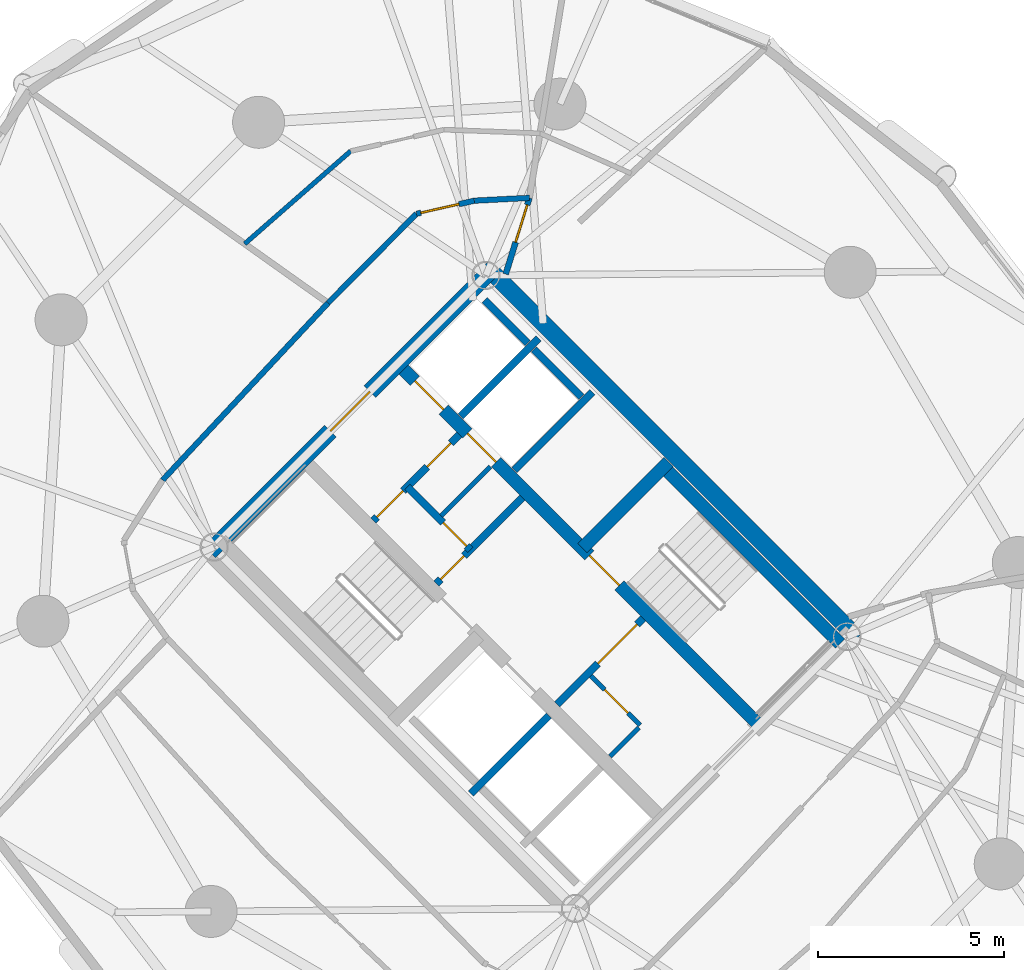
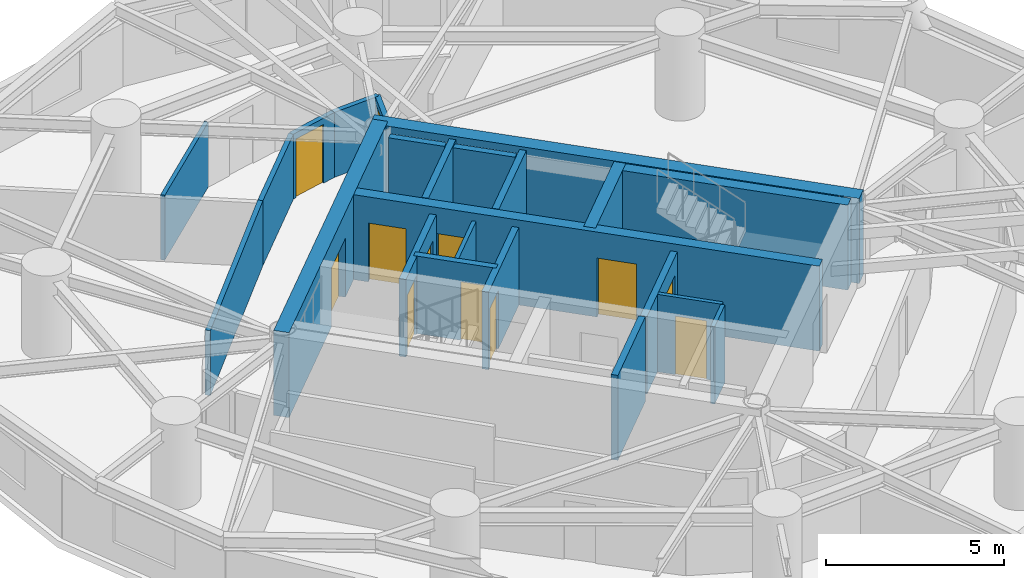
# One storey, part 13 of 17: 23 walls, 12 doors, 12 openings.
"""IFC4 building model written with IfcOpenShell, lengths in metres."""

from ifc_helpers import new_model, si_unit, direction, frame, frame_2d, origin, place, context, subcontext, project, spatial, rectangle, extrude, source, transform, mapped, material, layer, layer_set, type_object, element, fill, save


model = new_model("IFC4")

# Units and contexts
model_context = context("Model", 3, precision=1e-05, world=origin(), true_north=direction((0.0, 1.0)))
body_context = subcontext(model_context, "Body", "Model", "MODEL_VIEW")
ifc_project = project(units=[si_unit("LENGTHUNIT", "METRE"), si_unit("AREAUNIT", "SQUARE_METRE"), si_unit("VOLUMEUNIT", "CUBIC_METRE"), si_unit("PLANEANGLEUNIT", "RADIAN"), si_unit("MASSUNIT", "GRAM", prefix="KILO")], contexts=[model_context])

# Site, building, storey
site_placement = place(None, origin())
site = spatial("IfcSite", under=ifc_project, at=site_placement, CompositionType="ELEMENT")
building_placement = place(site_placement, origin())
building = spatial("IfcBuilding", under=site, at=building_placement, Name="Cununo Teusaquillo Station Towers", CompositionType="ELEMENT")
storey_placement = place(building_placement, frame((0.0, 0.0, 107.97998046875)))
storey = spatial("IfcBuildingStorey", under=building, at=storey_placement, Name="L34", CompositionType="ELEMENT", Elevation=107.97998046875)

# Walls
ifc_material_1 = material(Name="Concrete C50/60", Category="concrete")
ifc_layer_1 = layer(ifc_material_1, 0.199951171875)
ifc_layer_set_1 = layer_set([ifc_layer_1], Name="Concrete C50/60")
wall_type_1 = type_object("IfcWallType", Name="WL-CORE-200", PredefinedType="SHEAR", material=ifc_layer_set_1)
for number, where, z_axis, x_axis, name in (
    (1, (55.8876953125, 19.0693359375, 0.0), (0.0, 0.0, 1.0), (0.707106781187, 0.707106781187, 0.0), "L34 Tower B Firefighting Lift Shaft South Shear Wall"),
    (2, (57.0615234375, 27.781005859375, 0.0), (0.0, 0.0, 1.0), (0.707106781187, 0.707106781187, 0.0), "L34 Tower B Low-Rise Lift Hoistway South Shear Wall"),
):
    element("IfcWall", number, at=place(storey_placement, frame(where, z_axis=z_axis, x_axis=x_axis)), inside=storey, type_object=wall_type_1, Name=name, PredefinedType="SHEAR", context=body_context, shape_type="SweptSolid", body=[
        extrude(rectangle(XDim=2.969970703125, YDim=0.199951171875, at=frame_2d((1.48486328125, 0.0))), origin(), (0.0, 0.0, 1.0), 2.909912109375),
    ])
wall_1_placement = place(storey_placement, frame((55.615478515625, 29.22705078125, 0.0), z_axis=(0.0, 0.0, 1.0), x_axis=(0.707147878904, 0.70706568108, 0.0)))
element("IfcWall", 3, at=wall_1_placement, inside=storey, type_object=wall_type_1, Name="L34 Tower B Low-Rise Lift Hoistway Divider Shear Wall", PredefinedType="SHEAR", context=body_context, shape_type="SweptSolid", body=[
    extrude(rectangle(XDim=2.97021484375, YDim=0.199951171875, at=frame_2d((1.485107421875, 0.0))), origin(), (0.0, 0.0, 1.0), 2.909912109375),
])
wall_2_placement = place(storey_placement, frame((58.86474609375, 29.75390625, 0.0), z_axis=(0.0, 0.0, 1.0), x_axis=(-0.707174411312, 0.707039144592, 0.0)))
element("IfcWall", 4, at=wall_2_placement, inside=storey, type_object=wall_type_1, Name="L34 Tower B Low-Rise Lift 1 Shaft Rear Shear Wall", PredefinedType="SHEAR", context=body_context, shape_type="SweptSolid", body=[
    extrude(rectangle(XDim=1.804931640625, YDim=0.199951171875, at=frame_2d((0.90234375, 0.0))), origin(), (0.0, 0.0, 1.0), 2.909912109375),
])
wall_3_placement = place(storey_placement, frame((57.418701171875, 31.19970703125, 0.0), z_axis=(0.0, 0.0, 1.0), x_axis=(-0.707032117043, 0.707181437447, 0.0)))
element("IfcWall", 5, at=wall_3_placement, inside=storey, type_object=wall_type_1, Name="L34 Tower B Low-Rise Lift 2 Shaft Rear Shear Wall", PredefinedType="SHEAR", context=body_context, shape_type="SweptSolid", body=[
    extrude(rectangle(XDim=1.635009765625, YDim=0.199951171875, at=frame_2d((0.8173828125, 0.0))), origin(), (0.0, 0.0, 1.0), 2.909912109375),
])

# Wall, openings, doors
ifc_material_2 = material(Name="Concrete C50/60", Category="concrete")
ifc_layer_2 = layer(ifc_material_2, 0.35009765625)
ifc_layer_set_2 = layer_set([ifc_layer_2], Name="Concrete C50/60")
wall_type_2 = type_object("IfcWallType", Name="WL-CORE-350", PredefinedType="SHEAR", material=ifc_layer_set_2)
wall_4_placement = place(storey_placement, frame((63.644775390625, 20.922119140625, 0.0), z_axis=(0.0, 0.0, 1.0), x_axis=(-0.707106781187, 0.707106781187, 0.0)))
wall_4 = element("IfcWall", 6, at=wall_4_placement, inside=storey, type_object=wall_type_2, Name="L34 Tower B Core Shear Wall IE", PredefinedType="SHEAR", context=body_context, shape_type="SweptSolid", body=[
    extrude(rectangle(XDim=13.75, YDim=0.35009765625, at=frame_2d((6.875, 0.0))), origin(), (0.0, 0.0, 1.0), 2.909912109375),
])
shared_shape_1 = source(origin(), body_context, "Body", "SweptSolid", [
    extrude(rectangle(XDim=1.10009765625, YDim=2.014892578125, at=frame_2d((0.550048828125, 1.00732421875))), frame((0.0, 0.18505859375, 0.0), z_axis=(0.0, -1.0, 0.0), x_axis=(1.0, 0.0, 0.0)), (0.0, 0.0, 1.0), 0.3701171875),
])
opening_1_placement = place(wall_4_placement, frame((10.0, 0.0, 0.0)))
opening_1 = element("IfcOpeningElement", 7, at=opening_1_placement, cuts=wall_4, Name="Opening LD-01", PredefinedType="OPENING", context=body_context, shape_type="MappedRepresentation", body=[
    mapped(shared_shape_1, transform((0.0, 0.0, 0.0), x_axis=(1.0, 0.0, 0.0), y_axis=(0.0, 1.0, 0.0), z_axis=(0.0, 0.0, 1.0), scale=1.0)),
])
opening_2_placement = place(wall_4_placement, frame((12.0, 0.0, 0.0)))
opening_2 = element("IfcOpeningElement", 8, at=opening_2_placement, cuts=wall_4, Name="Opening LD-01", PredefinedType="OPENING", context=body_context, shape_type="MappedRepresentation", body=[
    mapped(shared_shape_1, transform((0.0, 0.0, 0.0), x_axis=(1.0, 0.0, 0.0), y_axis=(0.0, 1.0, 0.0), z_axis=(0.0, 0.0, 1.0), scale=1.0)),
])
shared_shape_2 = source(origin(), body_context, "Body", "SweptSolid", [
    extrude(rectangle(XDim=1.14990234375, YDim=2.02001953125, at=frame_2d((0.574951171875, 1.010009765625))), frame((0.0, 0.18505859375, 0.0), z_axis=(0.0, -1.0, 0.0), x_axis=(1.0, 0.0, 0.0)), (0.0, 0.0, 1.0), 0.3701171875),
])
opening_3_placement = place(wall_4_placement, frame((5.304931640625, 0.0, 0.0)))
opening_3 = element("IfcOpeningElement", 9, at=opening_3_placement, cuts=wall_4, Name="Opening D-ST1", PredefinedType="OPENING", context=body_context, shape_type="MappedRepresentation", body=[
    mapped(shared_shape_2, transform((0.0, 0.0, 0.0), x_axis=(1.0, 0.0, 0.0), y_axis=(0.0, 1.0, 0.0), z_axis=(0.0, 0.0, 1.0), scale=1.0)),
])
ifc_material_3 = material(Name="Galvanised fire-rated hollow steel door assembly", Category="steel")
door_type_1 = type_object("IfcDoorType", Name="DR-LIFT-1100", OperationType="SLIDING_TO_LEFT", PredefinedType="DOOR", material=ifc_material_3)
shared_shape_3 = source(origin(), body_context, "Body", "SweptSolid", [
    extrude(rectangle(XDim=1.10009765625, YDim=2.014892578125, at=frame_2d((0.550048828125, 1.00732421875))), frame((0.0, 0.02490234375, 0.0), z_axis=(0.0, -1.0, 0.0), x_axis=(1.0, 0.0, 0.0)), (0.0, 0.0, 1.0), 0.050048828125),
])
door_1_placement = place(opening_1_placement, origin())
door_1 = element("IfcDoor", 10, at=door_1_placement, inside=storey, type_object=door_type_1, Name="L34 Lift PL-T2-L1 Sliding Landing Door", OperationType="SLIDING_TO_RIGHT", OverallHeight=2.014892578125, OverallWidth=1.10009765625, PredefinedType="DOOR", context=body_context, shape_type="MappedRepresentation", body=[
    mapped(shared_shape_3, transform((0.0, 0.0, 0.0), x_axis=(1.0, 0.0, 0.0), y_axis=(0.0, 1.0, 0.0), z_axis=(0.0, 0.0, 1.0), scale=1.0)),
])
fill(opening_1, door_1)
door_2_placement = place(opening_2_placement, origin())
door_2 = element("IfcDoor", 11, at=door_2_placement, inside=storey, type_object=door_type_1, Name="L34 Lift PL-T2-L2 Sliding Landing Door", OperationType="SLIDING_TO_LEFT", OverallHeight=2.014892578125, OverallWidth=1.10009765625, PredefinedType="DOOR", context=body_context, shape_type="MappedRepresentation", body=[
    mapped(shared_shape_3, transform((0.0, 0.0, 0.0), x_axis=(1.0, 0.0, 0.0), y_axis=(0.0, 1.0, 0.0), z_axis=(0.0, 0.0, 1.0), scale=1.0)),
])
fill(opening_2, door_2)
ifc_material_4 = material(Name="Galvanised fire-rated hollow steel door assembly", Category="steel")
door_type_2 = type_object("IfcDoorType", Name="DR-STAIR-1150", OperationType="NOTDEFINED", PredefinedType="DOOR", material=ifc_material_4)
shared_shape_4 = source(origin(), body_context, "Body", "SweptSolid", [
    extrude(rectangle(XDim=1.14990234375, YDim=2.02001953125, at=frame_2d((0.574951171875, 1.010009765625))), frame((0.0, 0.02490234375, 0.0), z_axis=(0.0, -1.0, 0.0), x_axis=(1.0, 0.0, 0.0)), (0.0, 0.0, 1.0), 0.050048828125),
])
door_3_placement = place(opening_3_placement, origin())
door_3 = element("IfcDoor", 12, at=door_3_placement, inside=storey, type_object=door_type_2, Name="L34 Tower B Exit Stair 2 Fire Door", OperationType="SINGLE_SWING_RIGHT", OverallHeight=2.02001953125, OverallWidth=1.14990234375, PredefinedType="DOOR", context=body_context, shape_type="MappedRepresentation", body=[
    mapped(shared_shape_4, transform((0.0, 0.0, 0.0), x_axis=(1.0, 0.0, 0.0), y_axis=(0.0, 1.0, 0.0), z_axis=(0.0, 0.0, 1.0), scale=1.0)),
])
fill(opening_3, door_3)

# Walls
wall_5_placement = place(storey_placement, frame((65.82958984375, 23.10693359375, 0.0), z_axis=(0.0, 0.0, 1.0), x_axis=(-0.707088616009, 0.707124945897, 0.0)))
element("IfcWall", 13, at=wall_5_placement, inside=storey, type_object=wall_type_2, Name="L34 Tower B Core Shear Wall ST2E", PredefinedType="SHEAR", context=body_context, shape_type="SweptSolid", body=[
    extrude(rectangle(XDim=6.72021484375, YDim=0.35009765625, at=frame_2d((3.360107421875, 0.0))), origin(), (0.0, 0.0, 1.0), 2.909912109375),
])
wall_6_placement = place(storey_placement, frame((58.89306640625, 25.673828125, 0.0), z_axis=(0.0, 0.0, 1.0), x_axis=(0.707106781187, 0.707106781187, 0.0)))
element("IfcWall", 14, at=wall_6_placement, inside=storey, type_object=wall_type_2, Name="L34 Tower B Core Shear Wall ST2N", PredefinedType="SHEAR", context=body_context, shape_type="SweptSolid", body=[
    extrude(rectangle(XDim=3.284912109375, YDim=0.35009765625, at=frame_2d((1.642578125, 0.0))), origin(), (0.0, 0.0, 1.0), 2.909912109375),
])
ifc_material_5 = material(Name="Concrete C60/75", Category="concrete")
ifc_layer_3 = layer(ifc_material_5, 0.449951171875)
ifc_layer_set_3 = layer_set([ifc_layer_3], Name="Concrete C60/75")
wall_type_3 = type_object("IfcWallType", Name="WL-CORE-450", PredefinedType="SHEAR", material=ifc_layer_set_3)
wall_7_placement = place(storey_placement, frame((66.303466796875, 23.2626953125, 0.0), z_axis=(0.0, 0.0, 1.0), x_axis=(-0.707106781187, 0.707106781187, 0.0)))
element("IfcWall", 15, at=wall_7_placement, inside=storey, type_object=wall_type_3, Name="L34 Tower B Core Shear Wall E", PredefinedType="SHEAR", context=body_context, shape_type="SweptSolid", body=[
    extrude(rectangle(XDim=14.19970703125, YDim=0.449951171875, at=frame_2d((7.099853515625, 0.0))), origin(), (0.0, 0.0, 1.0), 2.909912109375),
])

# Wall, opening, door
wall_8_placement = place(storey_placement, frame((48.855712890625, 25.578369140625, 0.0), z_axis=(0.0, 0.0, 1.0), x_axis=(0.707106781187, 0.707106781187, 0.0)))
wall_8 = element("IfcWall", 16, at=wall_8_placement, inside=storey, type_object=wall_type_3, Name="L34 Tower B Core Shear Wall N", PredefinedType="SHEAR", context=body_context, shape_type="SweptSolid", body=[
    extrude(rectangle(XDim=10.69970703125, YDim=0.449951171875, at=frame_2d((5.349853515625, 0.0))), origin(), (0.0, 0.0, 1.0), 2.909912109375),
])
shared_shape_5 = source(origin(), body_context, "Body", "SweptSolid", [
    extrude(rectangle(XDim=1.5, YDim=2.02001953125, at=frame_2d((0.75, 1.010009765625))), frame((0.0, 0.23486328125, 0.0), z_axis=(0.0, -1.0, 0.0), x_axis=(1.0, 0.0, 0.0)), (0.0, 0.0, 1.0), 0.469970703125),
])
opening_4_placement = place(wall_8_placement, frame((4.60009765625, 0.0, 0.0)))
opening_4 = element("IfcOpeningElement", 17, at=opening_4_placement, cuts=wall_8, Name="Opening D-LB1", PredefinedType="OPENING", context=body_context, shape_type="MappedRepresentation", body=[
    mapped(shared_shape_5, transform((0.0, 0.0, 0.0), x_axis=(1.0, 0.0, 0.0), y_axis=(0.0, 1.0, 0.0), z_axis=(0.0, 0.0, 1.0), scale=1.0)),
])
ifc_material_6 = material(Name="Galvanised fire-rated hollow steel door assembly", Category="steel")
door_type_3 = type_object("IfcDoorType", Name="DR-LOBBY-1500", OperationType="DOUBLE_DOOR_SINGLE_SWING", PredefinedType="DOOR", material=ifc_material_6)
shared_shape_6 = source(origin(), body_context, "Body", "SweptSolid", [
    extrude(rectangle(XDim=1.5, YDim=2.02001953125, at=frame_2d((0.75, 1.010009765625))), frame((0.0, 0.02490234375, 0.0), z_axis=(0.0, -1.0, 0.0), x_axis=(1.0, 0.0, 0.0)), (0.0, 0.0, 1.0), 0.050048828125),
])
door_4_placement = place(opening_4_placement, origin())
door_4 = element("IfcDoor", 18, at=door_4_placement, inside=storey, type_object=door_type_3, Name="L34 Tower B North Core Lift Lobby Door", OperationType="DOUBLE_DOOR_SINGLE_SWING", OverallHeight=2.02001953125, OverallWidth=1.5, PredefinedType="DOOR", context=body_context, shape_type="MappedRepresentation", body=[
    mapped(shared_shape_6, transform((0.0, 0.0, 0.0), x_axis=(1.0, 0.0, 0.0), y_axis=(0.0, 1.0, 0.0), z_axis=(0.0, 0.0, 1.0), scale=1.0)),
])
fill(opening_4, door_4)

ifc_material_7 = material(Name="Fire-rated gypsum plasterboard partition assembly", Category="gypsum")
ifc_layer_4 = layer(ifc_material_7, 0.125)
ifc_layer_set_4 = layer_set([ifc_layer_4], Name="Fire-rated gypsum plasterboard partition assembly")
wall_type_4 = type_object("IfcWallType", Name="WL-PART-125", PredefinedType="PARTITIONING", material=ifc_layer_set_4)
wall_9_placement = place(storey_placement, frame((60.448486328125, 20.9150390625, 0.0), z_axis=(0.0, 0.0, 1.0), x_axis=(-0.707106781187, 0.707106781187, 0.0)))
wall_9 = element("IfcWall", 19, at=wall_9_placement, inside=storey, type_object=wall_type_4, Name="L34 Tower B North-West Lobby Store East Wall", PredefinedType="PARTITIONING", context=body_context, shape_type="SweptSolid", body=[
    extrude(rectangle(XDim=1.869873046875, YDim=0.125, at=frame_2d((0.93505859375, 0.0))), origin(), (0.0, 0.0, 1.0), 2.655029296875),
])
shared_shape_7 = source(origin(), body_context, "Body", "SweptSolid", [
    extrude(rectangle(XDim=0.89990234375, YDim=2.0048828125, at=frame_2d((0.449951171875, 1.00244140625))), frame((0.0, 0.072509765625, 0.0), z_axis=(0.0, -1.0, 0.0), x_axis=(1.0, 0.0, 0.0)), (0.0, 0.0, 1.0), 0.14501953125),
])
opening_5_placement = place(wall_9_placement, frame((0.449951171875, 0.0, 0.0)))
opening_5 = element("IfcOpeningElement", 20, at=opening_5_placement, cuts=wall_9, Name="Opening D-SR1", PredefinedType="OPENING", context=body_context, shape_type="MappedRepresentation", body=[
    mapped(shared_shape_7, transform((0.0, 0.0, 0.0), x_axis=(1.0, 0.0, 0.0), y_axis=(0.0, 1.0, 0.0), z_axis=(0.0, 0.0, 1.0), scale=1.0)),
])
ifc_material_8 = material(Name="Galvanised fire-rated hollow steel door assembly", Category="steel")
door_type_4 = type_object("IfcDoorType", Name="DR-STORE-900", OperationType="NOTDEFINED", PredefinedType="DOOR", material=ifc_material_8)
shared_shape_8 = source(origin(), body_context, "Body", "SweptSolid", [
    extrude(rectangle(XDim=0.89990234375, YDim=2.0048828125, at=frame_2d((0.449951171875, 1.00244140625))), frame((0.0, 0.02490234375, 0.0), z_axis=(0.0, -1.0, 0.0), x_axis=(1.0, 0.0, 0.0)), (0.0, 0.0, 1.0), 0.050048828125),
])
door_5_placement = place(opening_5_placement, origin())
door_5 = element("IfcDoor", 21, at=door_5_placement, inside=storey, type_object=door_type_4, Name="L34 Tower B South Lobby Data Store Door", OperationType="SINGLE_SWING_LEFT", OverallHeight=2.0048828125, OverallWidth=0.89990234375, PredefinedType="DOOR", context=body_context, shape_type="MappedRepresentation", body=[
    mapped(shared_shape_8, transform((0.0, 0.0, 0.0), x_axis=(1.0, 0.0, 0.0), y_axis=(0.0, 1.0, 0.0), z_axis=(0.0, 0.0, 1.0), scale=1.0)),
])
fill(opening_5, door_5)

# Walls
wall_10_placement = place(storey_placement, frame((59.642578125, 20.06640625, 0.0), z_axis=(0.0, 0.0, 1.0), x_axis=(0.707106781187, 0.707106781187, 0.0)))
element("IfcWall", 22, at=wall_10_placement, inside=storey, type_object=wall_type_4, Name="L34 Tower B North-West Lobby Store South Wall", PredefinedType="PARTITIONING", context=body_context, shape_type="SweptSolid", body=[
    extrude(rectangle(XDim=1.10009765625, YDim=0.125, at=frame_2d((0.550048828125, 0.0))), origin(), (0.0, 0.0, 1.0), 2.655029296875),
])
wall_11_placement = place(storey_placement, frame((55.0888671875, 26.54345703125, 0.0), z_axis=(0.0, 0.0, 1.0), x_axis=(0.707106781187, 0.707106781187, 0.0)))
element("IfcWall", 23, at=wall_11_placement, inside=storey, type_object=wall_type_4, Name="L34 Tower B Core Horizontal Split Wall", PredefinedType="PARTITIONING", context=body_context, shape_type="SweptSolid", body=[
    extrude(rectangle(XDim=1.8798828125, YDim=0.125, at=frame_2d((0.93994140625, 0.0))), origin(), (0.0, 0.0, 1.0), 2.655029296875),
])
wall_12_placement = place(storey_placement, frame((52.652099609375, 36.37060546875, 0.0), z_axis=(0.0, 0.0, 1.0), x_axis=(-0.752401146533, -0.658705180408, 0.0)))
element("IfcWall", 24, at=wall_12_placement, inside=storey, type_object=wall_type_4, Name="L34 Tower B Consular Reception Salon Concentric Partition Wall C04", PredefinedType="PARTITIONING", context=body_context, shape_type="SweptSolid", body=[
    extrude(rectangle(XDim=3.791259765625, YDim=0.125, at=frame_2d((1.8955078125, 0.0))), origin(), (0.0, 0.0, 1.0), 2.22509765625),
])
ifc_material_9 = material(Name="Fire-rated gypsum plasterboard partition assembly", Category="gypsum")
ifc_layer_5 = layer(ifc_material_9, 0.14990234375)
ifc_layer_set_5 = layer_set([ifc_layer_5], Name="Fire-rated gypsum plasterboard partition assembly")
wall_type_5 = type_object("IfcWallType", Name="WL-PART-150", PredefinedType="PARTITIONING", material=ifc_layer_set_5)
wall_13_placement = place(storey_placement, frame((57.466796875, 35.111328125, 0.0), z_axis=(0.0, 0.0, 1.0), x_axis=(-0.998691757323, -0.051134859488, 0.0)))
element("IfcWall", 25, at=wall_13_placement, inside=storey, type_object=wall_type_5, Name="L34 Tower B Corridor Ring Wall C02", PredefinedType="PARTITIONING", context=body_context, shape_type="SweptSolid", body=[
    extrude(rectangle(XDim=1.48486328125, YDim=0.14990234375, at=frame_2d((0.742431640625, 0.0))), origin(), (0.0, 0.0, 1.0), 2.22509765625),
])

# Wall, opening, door
wall_14_placement = place(storey_placement, frame((55.98388671875, 35.035400390625, 0.0), z_axis=(0.0, 0.0, 1.0), x_axis=(-0.975290305708, -0.22092718165, 0.0)))
wall_14 = element("IfcWall", 26, at=wall_14_placement, inside=storey, type_object=wall_type_5, Name="L34 Tower B Corridor Ring Wall C03", PredefinedType="PARTITIONING", context=body_context, shape_type="SweptSolid", body=[
    extrude(rectangle(XDim=1.596923828125, YDim=0.14990234375, at=frame_2d((0.79833984375, 0.0))), origin(), (0.0, 0.0, 1.0), 2.22509765625),
])
shared_shape_9 = source(origin(), body_context, "Body", "SweptSolid", [
    extrude(rectangle(XDim=1.050048828125, YDim=2.014892578125, at=frame_2d((0.52490234375, 1.00732421875))), frame((0.0, 0.0849609375, 0.0), z_axis=(0.0, -1.0, 0.0), x_axis=(1.0, 0.0, 0.0)), (0.0, 0.0, 1.0), 0.169921875),
])
opening_6_placement = place(wall_14_placement, frame((0.4267578125, 0.0, 0.0)))
opening_6 = element("IfcOpeningElement", 27, at=opening_6_placement, cuts=wall_14, Name="Opening D-SU1", PredefinedType="OPENING", context=body_context, shape_type="MappedRepresentation", body=[
    mapped(shared_shape_9, transform((0.0, 0.0, 0.0), x_axis=(1.0, 0.0, 0.0), y_axis=(0.0, 1.0, 0.0), z_axis=(0.0, 0.0, 1.0), scale=1.0)),
])
ifc_material_10 = material(Name="Acoustic solid-core hardwood leaf assembly", Category="wood")
door_type_5 = type_object("IfcDoorType", Name="DR-SUITE-1050", OperationType="NOTDEFINED", PredefinedType="DOOR", material=ifc_material_10)
shared_shape_10 = source(origin(), body_context, "Body", "SweptSolid", [
    extrude(rectangle(XDim=1.050048828125, YDim=2.014892578125, at=frame_2d((0.52490234375, 1.00732421875))), frame((0.0, 0.02490234375, 0.0), z_axis=(0.0, -1.0, 0.0), x_axis=(1.0, 0.0, 0.0)), (0.0, 0.0, 1.0), 0.050048828125),
])
door_6_placement = place(opening_6_placement, origin())
door_6 = element("IfcDoor", 28, at=door_6_placement, inside=storey, type_object=door_type_5, Name="L34 Tower B Consular Reception Salon Entrance Door", OperationType="SINGLE_SWING_RIGHT", OverallHeight=2.014892578125, OverallWidth=1.050048828125, PredefinedType="DOOR", context=body_context, shape_type="MappedRepresentation", body=[
    mapped(shared_shape_10, transform((0.0, 0.0, 0.0), x_axis=(1.0, 0.0, 0.0), y_axis=(0.0, 1.0, 0.0), z_axis=(0.0, 0.0, 1.0), scale=1.0)),
])
fill(opening_6, door_6)

# Walls
wall_15_placement = place(storey_placement, frame((54.426513671875, 34.6826171875, 0.0), z_axis=(0.0, 0.0, 1.0), x_axis=(-0.704178989986, -0.710022499687, 0.0)))
element("IfcWall", 29, at=wall_15_placement, inside=storey, type_object=wall_type_5, Name="L34 Tower B Corridor Ring Wall C04", PredefinedType="PARTITIONING", context=body_context, shape_type="SweptSolid", body=[
    extrude(rectangle(XDim=3.38427734375, YDim=0.14990234375, at=frame_2d((1.692138671875, 0.0))), origin(), (0.0, 0.0, 1.0), 2.22509765625),
])
wall_16_placement = place(storey_placement, frame((52.04345703125, 32.27978515625, 0.0), z_axis=(0.0, 0.0, 1.0), x_axis=(-0.682606081633, -0.730786519661, 0.0)))
element("IfcWall", 30, at=wall_16_placement, inside=storey, type_object=wall_type_5, Name="L34 Tower B Corridor Ring Wall C05", PredefinedType="PARTITIONING", context=body_context, shape_type="SweptSolid", body=[
    extrude(rectangle(XDim=6.526611328125, YDim=0.14990234375, at=frame_2d((3.26318359375, 0.0))), origin(), (0.0, 0.0, 1.0), 2.22509765625),
])

# Wall, opening, door
ifc_material_11 = material(Name="Fire-rated gypsum plasterboard partition assembly", Category="gypsum")
ifc_layer_6 = layer(ifc_material_11, 0.159912109375)
ifc_layer_set_6 = layer_set([ifc_layer_6], Name="Fire-rated gypsum plasterboard partition assembly")
wall_type_6 = type_object("IfcWallType", Name="WL-PART-160", PredefinedType="PARTITIONING", material=ifc_layer_set_6)
wall_17_placement = place(storey_placement, frame((56.828125, 33.055908203125, 0.0), z_axis=(0.0, 0.0, 1.0), x_axis=(0.296730996083, 0.954961107042, 0.0)))
wall_17 = element("IfcWall", 31, at=wall_17_placement, inside=storey, type_object=wall_type_6, Name="L34 Tower B East Salon Corridor Portal Wall NE", PredefinedType="PARTITIONING", context=body_context, shape_type="SweptSolid", body=[
    extrude(rectangle(XDim=2.15234375, YDim=0.159912109375, at=frame_2d((1.076171875, 0.0))), origin(), (0.0, 0.0, 1.0), 2.22509765625),
])
shared_shape_11 = source(origin(), body_context, "Body", "SweptSolid", [
    extrude(rectangle(XDim=1.050048828125, YDim=2.014892578125, at=frame_2d((0.52490234375, 1.00732421875))), frame((0.0, 0.08984375, 0.0), z_axis=(0.0, -1.0, 0.0), x_axis=(1.0, 0.0, 0.0)), (0.0, 0.0, 1.0), 0.179931640625),
])
opening_7_placement = place(wall_17_placement, frame((0.902099609375, 0.0, 0.0)))
opening_7 = element("IfcOpeningElement", 32, at=opening_7_placement, cuts=wall_17, Name="Opening D-SU1", PredefinedType="OPENING", context=body_context, shape_type="MappedRepresentation", body=[
    mapped(shared_shape_11, transform((0.0, 0.0, 0.0), x_axis=(1.0, 0.0, 0.0), y_axis=(0.0, 1.0, 0.0), z_axis=(0.0, 0.0, 1.0), scale=1.0)),
])
door_7_placement = place(opening_7_placement, origin())
door_7 = element("IfcDoor", 33, at=door_7_placement, inside=storey, type_object=door_type_5, Name="L34 Tower B East Panorama Sky Salon Door NE", OperationType="SINGLE_SWING_RIGHT", OverallHeight=2.014892578125, OverallWidth=1.050048828125, PredefinedType="DOOR", context=body_context, shape_type="MappedRepresentation", body=[
    mapped(shared_shape_10, transform((0.0, 0.0, 0.0), x_axis=(1.0, 0.0, 0.0), y_axis=(0.0, 1.0, 0.0), z_axis=(0.0, 0.0, 1.0), scale=1.0)),
])
fill(opening_7, door_7)

ifc_material_12 = material(Name="Fire-rated gypsum plasterboard partition assembly", Category="gypsum")
ifc_layer_7 = layer(ifc_material_12, 0.199951171875)
ifc_layer_set_7 = layer_set([ifc_layer_7], Name="Fire-rated gypsum plasterboard partition assembly")
wall_type_7 = type_object("IfcWallType", Name="WL-PART-200", PredefinedType="PARTITIONING", material=ifc_layer_set_7)
wall_18_placement = place(storey_placement, frame((58.214111328125, 21.466552734375, 0.0), z_axis=(0.0, 0.0, 1.0), x_axis=(0.707106781187, 0.707106781187, 0.0)))
wall_18 = element("IfcWall", 34, at=wall_18_placement, inside=storey, type_object=wall_type_7, Name="L34 Tower B Firefighting Lift Lobby South Fire Wall", PredefinedType="PARTITIONING", context=body_context, shape_type="SweptSolid", body=[
    extrude(rectangle(XDim=3.280029296875, YDim=0.199951171875, at=frame_2d((1.64013671875, 0.0))), origin(), (0.0, 0.0, 1.0), 2.655029296875),
])
shared_shape_12 = source(origin(), body_context, "Body", "SweptSolid", [
    extrude(rectangle(XDim=1.5, YDim=2.02001953125, at=frame_2d((0.75, 1.010009765625))), frame((0.0, 0.10986328125, 0.0), z_axis=(0.0, -1.0, 0.0), x_axis=(1.0, 0.0, 0.0)), (0.0, 0.0, 1.0), 0.219970703125),
])
opening_8_placement = place(wall_18_placement, frame((1.550048828125, 0.0, 0.0)))
opening_8 = element("IfcOpeningElement", 35, at=opening_8_placement, cuts=wall_18, Name="Opening D-LB1", PredefinedType="OPENING", context=body_context, shape_type="MappedRepresentation", body=[
    mapped(shared_shape_12, transform((0.0, 0.0, 0.0), x_axis=(1.0, 0.0, 0.0), y_axis=(0.0, 1.0, 0.0), z_axis=(0.0, 0.0, 1.0), scale=1.0)),
])
door_8_placement = place(opening_8_placement, origin())
door_8 = element("IfcDoor", 36, at=door_8_placement, inside=storey, type_object=door_type_3, Name="L34 Tower B Firefighting Lift Lobby South Fire Door", OperationType="DOUBLE_DOOR_SINGLE_SWING", OverallHeight=2.02001953125, OverallWidth=1.5, PredefinedType="DOOR", context=body_context, shape_type="MappedRepresentation", body=[
    mapped(shared_shape_6, transform((0.0, 0.0, 0.0), x_axis=(1.0, 0.0, 0.0), y_axis=(0.0, 1.0, 0.0), z_axis=(0.0, 0.0, 1.0), scale=1.0)),
])
fill(opening_8, door_8)

wall_19_placement = place(storey_placement, frame((54.96142578125, 24.71923828125, 0.0), z_axis=(0.0, 0.0, 1.0), x_axis=(0.707106781187, 0.707106781187, 0.0)))
wall_19 = element("IfcWall", 37, at=wall_19_placement, inside=storey, type_object=wall_type_7, Name="L34 Tower B Firefighting Lift Lobby North Fire Wall", PredefinedType="PARTITIONING", context=body_context, shape_type="SweptSolid", body=[
    extrude(rectangle(XDim=3.280029296875, YDim=0.199951171875, at=frame_2d((1.64013671875, 0.0))), origin(), (0.0, 0.0, 1.0), 2.655029296875),
])
shared_shape_13 = source(origin(), body_context, "Body", "SweptSolid", [
    extrude(rectangle(XDim=0.89990234375, YDim=2.0048828125, at=frame_2d((0.449951171875, 1.00244140625))), frame((0.0, 0.10986328125, 0.0), z_axis=(0.0, -1.0, 0.0), x_axis=(1.0, 0.0, 0.0)), (0.0, 0.0, 1.0), 0.219970703125),
])
opening_9_placement = place(wall_19_placement, frame((0.159912109375, 0.0, 0.0)))
opening_9 = element("IfcOpeningElement", 38, at=opening_9_placement, cuts=wall_19, Name="Opening D-SR1", PredefinedType="OPENING", context=body_context, shape_type="MappedRepresentation", body=[
    mapped(shared_shape_13, transform((0.0, 0.0, 0.0), x_axis=(1.0, 0.0, 0.0), y_axis=(0.0, 1.0, 0.0), z_axis=(0.0, 0.0, 1.0), scale=1.0)),
])
door_9_placement = place(opening_9_placement, origin())
door_9 = element("IfcDoor", 39, at=door_9_placement, inside=storey, type_object=door_type_4, Name="L34 Tower B Stair 1 Protected Vestibule South Door", OperationType="SINGLE_SWING_LEFT", OverallHeight=2.0048828125, OverallWidth=0.89990234375, PredefinedType="DOOR", context=body_context, shape_type="MappedRepresentation", body=[
    mapped(shared_shape_8, transform((0.0, 0.0, 0.0), x_axis=(1.0, 0.0, 0.0), y_axis=(0.0, 1.0, 0.0), z_axis=(0.0, 0.0, 1.0), scale=1.0)),
])
fill(opening_9, door_9)

wall_20_placement = place(storey_placement, frame((55.873779296875, 25.63134765625, 0.0), z_axis=(0.0, 0.0, 1.0), x_axis=(-0.707157639372, 0.707055919343, 0.0)))
wall_20 = element("IfcWall", 40, at=wall_20_placement, inside=storey, type_object=wall_type_7, Name="L34 Tower B Stair 1 Vestibule Partition Wall", PredefinedType="PARTITIONING", context=body_context, shape_type="SweptSolid", body=[
    extrude(rectangle(XDim=2.400146484375, YDim=0.199951171875, at=frame_2d((1.2001953125, 0.0))), origin(), (0.0, 0.0, 1.0), 2.655029296875),
])
opening_10_placement = place(wall_20_placement, frame((0.139892578125, 0.0, 0.0)))
opening_10 = element("IfcOpeningElement", 41, at=opening_10_placement, cuts=wall_20, Name="Opening D-SR1", PredefinedType="OPENING", context=body_context, shape_type="MappedRepresentation", body=[
    mapped(shared_shape_13, transform((0.0, 0.0, 0.0), x_axis=(1.0, 0.0, 0.0), y_axis=(0.0, 1.0, 0.0), z_axis=(0.0, 0.0, 1.0), scale=1.0)),
])
door_10_placement = place(opening_10_placement, origin())
door_10 = element("IfcDoor", 42, at=door_10_placement, inside=storey, type_object=door_type_4, Name="L34 Tower B Core Linen Store Door", OperationType="SINGLE_SWING_RIGHT", OverallHeight=2.0048828125, OverallWidth=0.89990234375, PredefinedType="DOOR", context=body_context, shape_type="MappedRepresentation", body=[
    mapped(shared_shape_8, transform((0.0, 0.0, 0.0), x_axis=(1.0, 0.0, 0.0), y_axis=(0.0, 1.0, 0.0), z_axis=(0.0, 0.0, 1.0), scale=1.0)),
])
fill(opening_10, door_10)

# Wall, openings, doors
wall_21_placement = place(storey_placement, frame((53.264404296875, 26.416259765625, 0.0), z_axis=(0.0, 0.0, 1.0), x_axis=(0.707106781187, 0.707106781187, 0.0)))
wall_21 = element("IfcWall", 43, at=wall_21_placement, inside=storey, type_object=wall_type_7, Name="L34 Tower B North Lift Lobby South Fire Wall", PredefinedType="PARTITIONING", context=body_context, shape_type="SweptSolid", body=[
    extrude(rectangle(XDim=3.280029296875, YDim=0.199951171875, at=frame_2d((1.64013671875, 0.0))), origin(), (0.0, 0.0, 1.0), 2.655029296875),
])
shared_shape_14 = source(origin(), body_context, "Body", "SweptSolid", [
    extrude(rectangle(XDim=1.0, YDim=2.014892578125, at=frame_2d((0.5, 1.00732421875))), frame((0.0, 0.10986328125, 0.0), z_axis=(0.0, -1.0, 0.0), x_axis=(1.0, 0.0, 0.0)), (0.0, 0.0, 1.0), 0.219970703125),
])
opening_11_placement = place(wall_21_placement, frame((0.139892578125, 0.0, 0.0)))
opening_11 = element("IfcOpeningElement", 44, at=opening_11_placement, cuts=wall_21, Name="Opening D-AC1", PredefinedType="OPENING", context=body_context, shape_type="MappedRepresentation", body=[
    mapped(shared_shape_14, transform((0.0, 0.0, 0.0), x_axis=(1.0, 0.0, 0.0), y_axis=(0.0, 1.0, 0.0), z_axis=(0.0, 0.0, 1.0), scale=1.0)),
])
opening_12_placement = place(wall_21_placement, frame((2.050048828125, 0.0, 0.0)))
opening_12 = element("IfcOpeningElement", 45, at=opening_12_placement, cuts=wall_21, Name="Opening D-SR1", PredefinedType="OPENING", context=body_context, shape_type="MappedRepresentation", body=[
    mapped(shared_shape_13, transform((0.0, 0.0, 0.0), x_axis=(1.0, 0.0, 0.0), y_axis=(0.0, 1.0, 0.0), z_axis=(0.0, 0.0, 1.0), scale=1.0)),
])
door_11_placement = place(opening_12_placement, origin())
door_11 = element("IfcDoor", 46, at=door_11_placement, inside=storey, type_object=door_type_4, Name="L34 Tower B Core Comms Room Door", OperationType="SINGLE_SWING_LEFT", OverallHeight=2.0048828125, OverallWidth=0.89990234375, PredefinedType="DOOR", context=body_context, shape_type="MappedRepresentation", body=[
    mapped(shared_shape_8, transform((0.0, 0.0, 0.0), x_axis=(1.0, 0.0, 0.0), y_axis=(0.0, 1.0, 0.0), z_axis=(0.0, 0.0, 1.0), scale=1.0)),
])
fill(opening_12, door_11)
ifc_material_13 = material(Name="Acoustic solid-core hardwood leaf assembly", Category="wood")
door_type_6 = type_object("IfcDoorType", Name="DR-ACC-1000", OperationType="NOTDEFINED", PredefinedType="DOOR", material=ifc_material_13)
shared_shape_15 = source(origin(), body_context, "Body", "SweptSolid", [
    extrude(rectangle(XDim=1.0, YDim=2.014892578125, at=frame_2d((0.5, 1.00732421875))), frame((0.0, 0.02490234375, 0.0), z_axis=(0.0, -1.0, 0.0), x_axis=(1.0, 0.0, 0.0)), (0.0, 0.0, 1.0), 0.050048828125),
])
door_12_placement = place(opening_11_placement, origin())
door_12 = element("IfcDoor", 47, at=door_12_placement, inside=storey, type_object=door_type_6, Name="L34 Tower B North Lift Lobby to Stair 1 Vestibule Door", OperationType="SINGLE_SWING_RIGHT", OverallHeight=2.014892578125, OverallWidth=1.0, PredefinedType="DOOR", context=body_context, shape_type="MappedRepresentation", body=[
    mapped(shared_shape_15, transform((0.0, 0.0, 0.0), x_axis=(1.0, 0.0, 0.0), y_axis=(0.0, 1.0, 0.0), z_axis=(0.0, 0.0, 1.0), scale=1.0)),
])
fill(opening_11, door_12)

save(model, "model.ifc")
